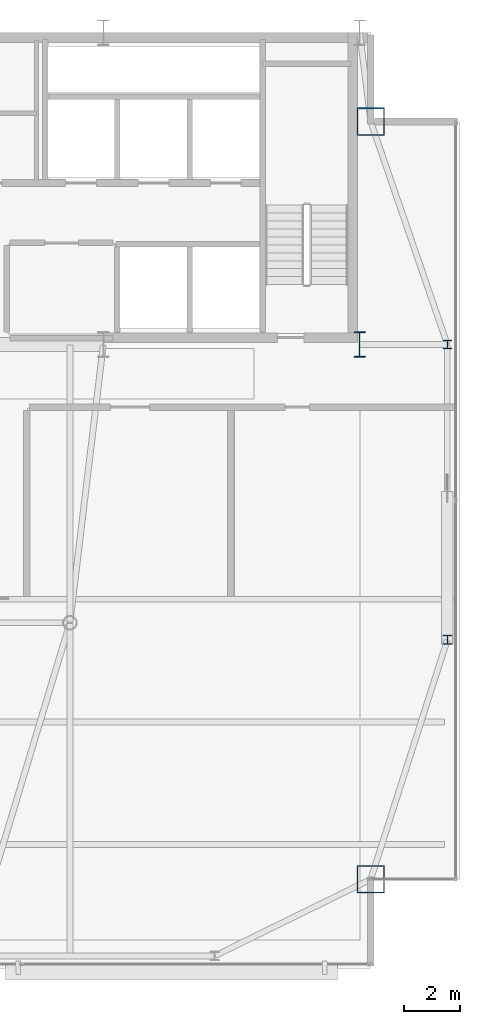
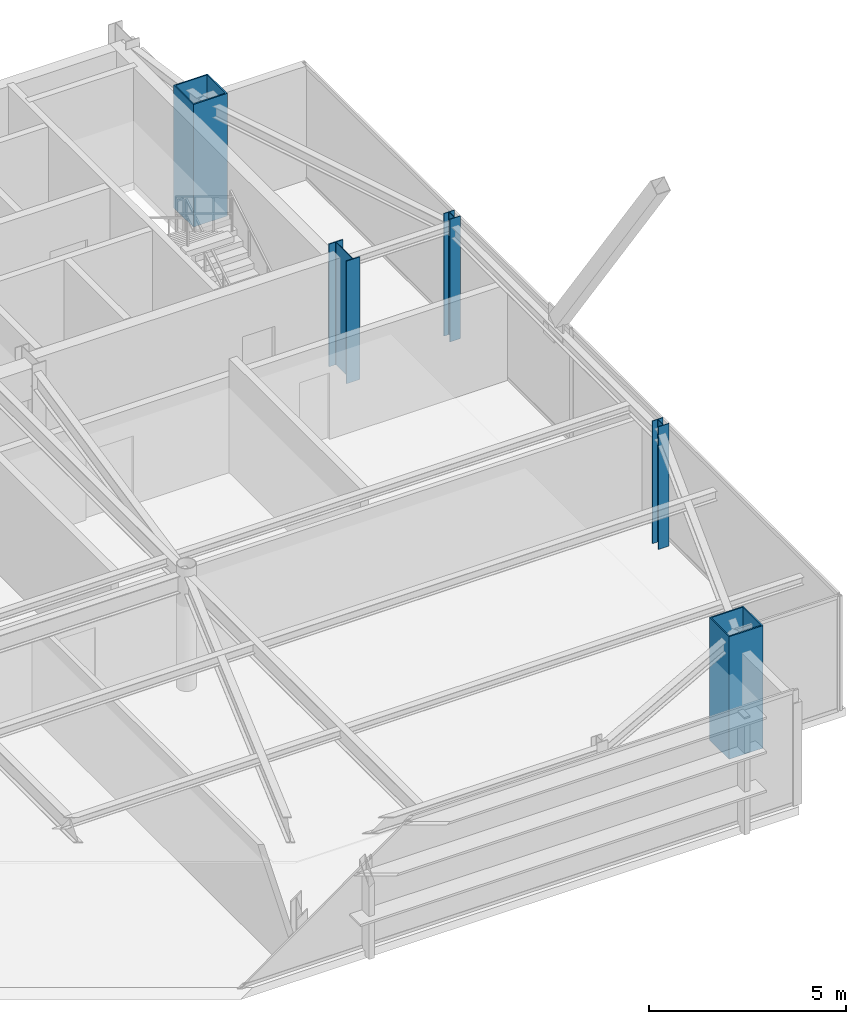
# One storey, part 2 of 24: 5 columns.
"""IFC4 building model written with IfcOpenShell, lengths in metres."""

from ifc_helpers import new_model, si_unit, direction, frame, origin, origin_2d, place, context, subcontext, project, spatial, hollow_rectangle, i_section, extrude, source, transform, mapped, material, material_profile, profile_set, type_object, type_shapes, element, save


model = new_model("IFC4")

# Units and contexts
model_context = context("Model", 3, precision=1e-05, world=origin(), true_north=direction((0.0, 1.0)))
body_context = subcontext(model_context, "Body", "Model", "MODEL_VIEW")
ifc_project = project(units=[si_unit("LENGTHUNIT", "METRE"), si_unit("AREAUNIT", "SQUARE_METRE"), si_unit("VOLUMEUNIT", "CUBIC_METRE"), si_unit("PLANEANGLEUNIT", "RADIAN"), si_unit("MASSUNIT", "GRAM", prefix="KILO")], contexts=[model_context])

# Site, building, storey
site_placement = place(None, origin())
site = spatial("IfcSite", under=ifc_project, at=site_placement, CompositionType="ELEMENT")
building_placement = place(site_placement, origin())
building = spatial("IfcBuilding", under=site, at=building_placement, Name="Varnel Quay Broadcast Tower", CompositionType="ELEMENT")
storey_placement = place(building_placement, frame((0.0, 0.0, 277.39990234375)))
storey = spatial("IfcBuildingStorey", under=building, at=storey_placement, Name="L69", CompositionType="ELEMENT", Elevation=277.39990234375)

# Columns
ifc_material_1 = material(Name="Structural Steel CSA G40.21 350WT", Category="steel")
ifc_material_profile_1 = material_profile(ifc_material_1, i_section(OverallWidth=0.39990234375, OverallDepth=0.89990234375, WebThickness=0.01611328125, FlangeThickness=0.028076171875, FilletRadius=0.01611328125, at=origin_2d()), Name="WWF900X309")
ifc_profile_set_1 = profile_set([ifc_material_profile_1], Name="Structural Steel CSA G40.21 350WT")
column_type_1 = type_object("IfcColumnType", Name="Col_WWF900X309", PredefinedType="COLUMN", material=ifc_profile_set_1)
shared_shape_1 = source(origin(), body_context, "Body", "SweptSolid", [
    extrude(i_section(OverallWidth=0.39990234375, OverallDepth=0.89990234375, WebThickness=0.01611328125, FlangeThickness=0.028076171875, FilletRadius=0.01611328125, at=origin_2d()), origin(), (0.0, 0.0, 1.0), 3.800048828125),
])
type_shapes(column_type_1, [shared_shape_1])
column_placement = place(storey_placement, frame((52.39990234375, 35.60009765625, 0.0), z_axis=(0.0, 0.0, 1.0), x_axis=(1.0, 0.0, 0.0)))
element("IfcColumn", 1, at=column_placement, inside=storey, type_object=column_type_1, Name="L69 Column CC-S5", PredefinedType="COLUMN", context=body_context, shape_type="MappedRepresentation", body=[
    mapped(shared_shape_1, transform((0.0, 0.0, 0.0), x_axis=(1.0, 0.0, 0.0), y_axis=(0.0, 1.0, 0.0), z_axis=(0.0, 0.0, 1.0), scale=1.0)),
])
ifc_material_profile_2 = material_profile(ifc_material_1, hollow_rectangle(XDim=1.0, YDim=1.0, WallThickness=0.0400390625, at=origin_2d()), Name="BOX1000X1000X40")
ifc_profile_set_2 = profile_set([ifc_material_profile_2], Name="Structural Steel CSA G40.21 350WT")
column_type_2 = type_object("IfcColumnType", Name="Col_BOX1000X1000X40", PredefinedType="COLUMN", material=ifc_profile_set_2)
shared_shape_2 = source(origin(), body_context, "Body", "SweptSolid", [
    extrude(hollow_rectangle(XDim=1.0, YDim=1.0, WallThickness=0.0400390625, at=origin_2d()), origin(), (0.0, 0.0, 1.0), 3.800048828125),
])
type_shapes(column_type_2, [shared_shape_2])
for number, where, z_axis, x_axis, name in (
    (2, (52.800048828125, 16.39990234375, 0.0), (0.0, 0.0, 1.0), (1.0, 0.0, 0.0), "L69 Column MC-SE"),
    (3, (52.800048828125, 43.60009765625, 0.0), (0.0, 0.0, 1.0), (1.0, 0.0, 0.0), "L69 Column MC-NE"),
):
    element("IfcColumn", number, at=place(storey_placement, frame(where, z_axis=z_axis, x_axis=x_axis)), inside=storey, type_object=column_type_2, Name=name, PredefinedType="COLUMN", context=body_context, shape_type="MappedRepresentation", body=[
        mapped(shared_shape_2, transform((0.0, 0.0, 0.0), x_axis=(1.0, 0.0, 0.0), y_axis=(0.0, 1.0, 0.0), z_axis=(0.0, 0.0, 1.0), scale=1.0)),
    ])
ifc_material_2 = material(Name="Structural Steel CSA G40.21 350W", Category="steel")
ifc_material_profile_3 = material_profile(ifc_material_2, i_section(OverallWidth=0.30908203125, OverallDepth=0.322998046875, WebThickness=0.013916015625, FlangeThickness=0.02294921875, FilletRadius=0.014892578125, at=origin_2d()), Name="W310X143")
ifc_profile_set_3 = profile_set([ifc_material_profile_3], Name="Structural Steel CSA G40.21 350W")
column_type_3 = type_object("IfcColumnType", Name="Col_W310X143", PredefinedType="COLUMN", material=ifc_profile_set_3)
shared_shape_3 = source(origin(), body_context, "Body", "SweptSolid", [
    extrude(i_section(OverallWidth=0.30908203125, OverallDepth=0.322998046875, WebThickness=0.013916015625, FlangeThickness=0.02294921875, FilletRadius=0.014892578125, at=origin_2d()), origin(), (0.0, 0.0, 1.0), 3.800048828125),
])
type_shapes(column_type_3, [shared_shape_3])
for number, where, z_axis, x_axis, name in (
    (4, (55.550048828125, 25.0, 0.0), (0.0, 0.0, 1.0), (1.0, 0.0, 0.0), "L69 Column TC-E1"),
    (5, (55.550048828125, 35.60009765625, 0.0), (0.0, 0.0, 1.0), (1.0, 0.0, 0.0), "L69 Column TC-E2"),
):
    element("IfcColumn", number, at=place(storey_placement, frame(where, z_axis=z_axis, x_axis=x_axis)), inside=storey, type_object=column_type_3, Name=name, PredefinedType="COLUMN", context=body_context, shape_type="MappedRepresentation", body=[
        mapped(shared_shape_3, transform((0.0, 0.0, 0.0), x_axis=(1.0, 0.0, 0.0), y_axis=(0.0, 1.0, 0.0), z_axis=(0.0, 0.0, 1.0), scale=1.0)),
    ])

save(model, "model.ifc")
